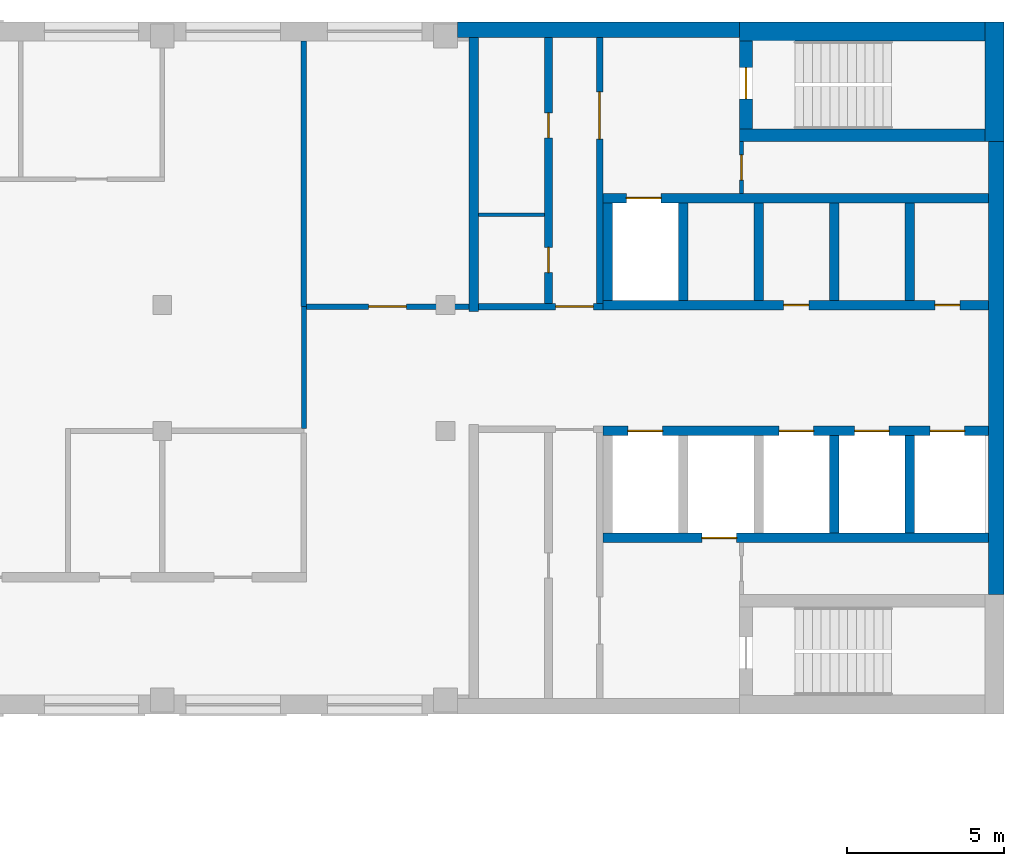
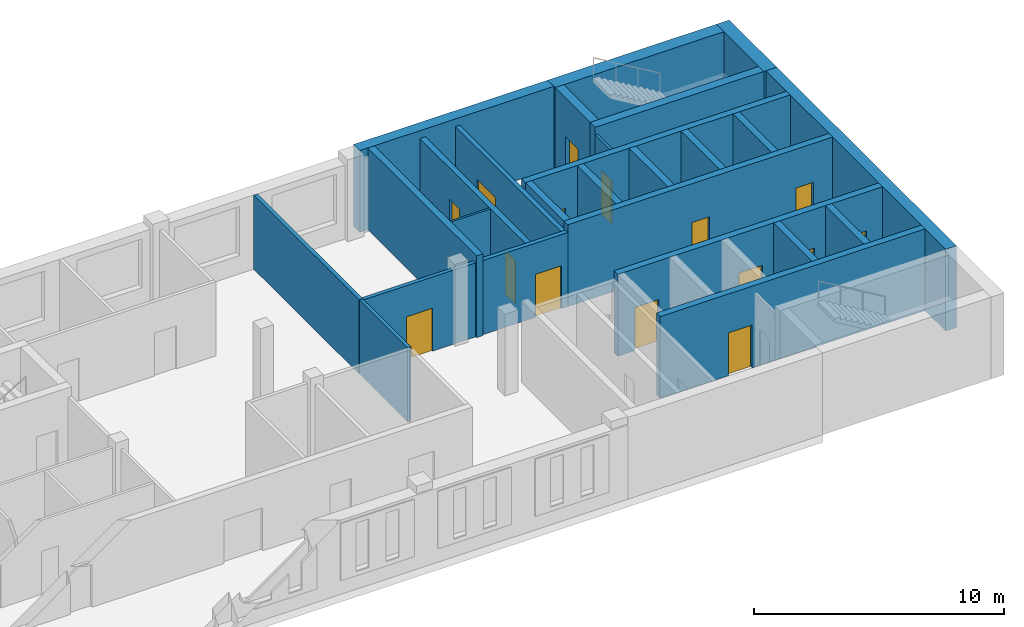
# One storey, part 6 of 8: 26 walls, 15 doors, 15 openings.
"""IFC4 building model written with IfcOpenShell, lengths in metres."""

from ifc_helpers import new_model, si_unit, direction, frame, frame_2d, origin, place, context, subcontext, project, spatial, rectangle, extrude, material, layer, layer_set, type_object, element, fill, save


model = new_model("IFC4")

# Units and contexts
model_context = context("Model", 3, precision=1e-05, world=origin(), true_north=direction((0.0, 1.0)))
body_context = subcontext(model_context, "Body", "Model", "MODEL_VIEW")
ifc_project = project(units=[si_unit("LENGTHUNIT", "METRE"), si_unit("AREAUNIT", "SQUARE_METRE"), si_unit("VOLUMEUNIT", "CUBIC_METRE"), si_unit("PLANEANGLEUNIT", "RADIAN"), si_unit("MASSUNIT", "GRAM", prefix="KILO")], contexts=[model_context])

# Site, building, storey
site_placement = place(None, origin())
site = spatial("IfcSite", under=ifc_project, at=site_placement, CompositionType="ELEMENT")
building_placement = place(site_placement, origin())
building = spatial("IfcBuilding", under=site, at=building_placement, Name="Skarvind Civic Tower", CompositionType="ELEMENT")
storey_placement = place(building_placement, frame((0.0, 0.0, 208.0)))
storey = spatial("IfcBuildingStorey", under=building, at=storey_placement, Name="L49", CompositionType="ELEMENT", Elevation=208.0)

# Wall
ifc_material_1 = material(Name="Acoustic gypsum board on steel studs", Category="steel")
ifc_layer_1 = layer(ifc_material_1, 0.175048828125)
ifc_layer_set_1 = layer_set([ifc_layer_1], Name="ACOUSTIC MEETING-ROOM PARTITION 175")
wall_type_1 = type_object("IfcWallType", Name="ACOUSTIC MEETING-ROOM PARTITION 175", PredefinedType="PARTITIONING", material=ifc_layer_set_1)
wall_1_placement = place(storey_placement, frame((85.75, 129.949951171875, 0.0), z_axis=(0.0, 0.0, 1.0), x_axis=(0.0, 1.0, 0.0)))
element("IfcWall", 1, at=wall_1_placement, inside=storey, type_object=wall_type_1, Name="Partition 49.042", PredefinedType="PARTITIONING", context=body_context, shape_type="SweptSolid", body=[
    extrude(rectangle(XDim=8.449951171875, YDim=0.175048828125, at=frame_2d((4.22509765625, 0.0))), origin(), (0.0, 0.0, 1.0), 3.625),
])

# Wall, opening, door
wall_2_placement = place(storey_placement, frame((85.837890625, 129.949951171875, 0.0), z_axis=(0.0, 0.0, 1.0), x_axis=(1.0, 0.0, 0.0)))
wall_2 = element("IfcWall", 2, at=wall_2_placement, inside=storey, type_object=wall_type_1, Name="Partition 49.043", PredefinedType="PARTITIONING", context=body_context, shape_type="SweptSolid", body=[
    extrude(rectangle(XDim=5.162109375, YDim=0.175048828125, at=frame_2d((2.5810546875, 0.0))), origin(), (0.0, 0.0, 1.0), 3.625),
])
opening_1_placement = place(wall_2_placement, frame((1.970947265625, 0.0, 0.0)))
opening_1 = element("IfcOpeningElement", 3, at=opening_1_placement, cuts=wall_2, Name="Opening L49-D001", PredefinedType="OPENING", context=body_context, shape_type="SweptSolid", body=[
    extrude(rectangle(XDim=1.199951171875, YDim=2.10009765625, at=frame_2d((0.60009765625, 1.050048828125))), frame((0.0, 0.097412109375, 0.0), z_axis=(0.0, -1.0, 0.0), x_axis=(1.0, 0.0, 0.0)), (0.0, 0.0, 1.0), 0.195068359375),
])
ifc_material_2 = material(Name="Timber door leaf", Category="wood")
door_type_1 = type_object("IfcDoorType", Name="DOOR 1200X2100 DOUBLE TIMBER", OperationType="NOTDEFINED", PredefinedType="DOOR", material=ifc_material_2)
door_1_placement = place(opening_1_placement, origin())
door_1 = element("IfcDoor", 4, at=door_1_placement, inside=storey, type_object=door_type_1, Name="Door L49-D001", OperationType="DOUBLE_DOOR_SINGLE_SWING", OverallHeight=2.10009765625, OverallWidth=1.199951171875, PredefinedType="DOOR", context=body_context, shape_type="SweptSolid", body=[
    extrude(rectangle(XDim=1.199951171875, YDim=2.10009765625, at=frame_2d((0.60009765625, 1.050048828125))), frame((0.0, 0.02490234375, 0.0), z_axis=(0.0, -1.0, 0.0), x_axis=(1.0, 0.0, 0.0)), (0.0, 0.0, 1.0), 0.050048828125),
])
fill(opening_1, door_1)

ifc_material_3 = material(Name="Fire-rated masonry partition", Category="masonry")
ifc_layer_2 = layer(ifc_material_3, 0.199951171875)
ifc_layer_set_2 = layer_set([ifc_layer_2], Name="Core enclosure wall 200")
wall_type_2 = type_object("IfcWallType", Name="Core enclosure wall 200", PredefinedType="PARTITIONING", material=ifc_layer_set_2)
wall_3_placement = place(storey_placement, frame((91.300048828125, 129.949951171875, 0.0), z_axis=(0.0, 0.0, 1.0), x_axis=(1.0, 0.0, 0.0)))
wall_3 = element("IfcWall", 5, at=wall_3_placement, inside=storey, type_object=wall_type_2, Name="Core wall C1", PredefinedType="PARTITIONING", context=body_context, shape_type="SweptSolid", body=[
    extrude(rectangle(XDim=3.949951171875, YDim=0.199951171875, at=frame_2d((1.97509765625, 0.0))), origin(), (0.0, 0.0, 1.0), 3.625),
])
opening_2_placement = place(wall_3_placement, frame((2.449951171875, 0.0, 0.0)))
opening_2 = element("IfcOpeningElement", 6, at=opening_2_placement, cuts=wall_3, Name="Opening D-L49-C1-12", PredefinedType="OPENING", context=body_context, shape_type="SweptSolid", body=[
    extrude(rectangle(XDim=1.199951171875, YDim=2.10009765625, at=frame_2d((0.60009765625, 1.050048828125))), frame((0.0, 0.10986328125, 0.0), z_axis=(0.0, -1.0, 0.0), x_axis=(1.0, 0.0, 0.0)), (0.0, 0.0, 1.0), 0.219970703125),
])
ifc_material_4 = material(Name="Fire-rated steel door", Category="steel")
door_type_2 = type_object("IfcDoorType", Name="Core lobby door 1200", OperationType="NOTDEFINED", PredefinedType="DOOR", material=ifc_material_4)
door_2_placement = place(opening_2_placement, origin())
door_2 = element("IfcDoor", 7, at=door_2_placement, inside=storey, type_object=door_type_2, Name="Fire door", OperationType="DOUBLE_DOOR_SINGLE_SWING", OverallHeight=2.10009765625, OverallWidth=1.199951171875, PredefinedType="DOOR", context=body_context, shape_type="SweptSolid", body=[
    extrude(rectangle(XDim=1.199951171875, YDim=2.10009765625, at=frame_2d((0.60009765625, 1.050048828125))), frame((0.0, 0.02490234375, 0.0), z_axis=(0.0, -1.0, 0.0), x_axis=(1.0, 0.0, 0.0)), (0.0, 0.0, 1.0), 0.050048828125),
])
fill(opening_2, door_2)

wall_4_placement = place(storey_placement, frame((95.14990234375, 130.050048828125, 0.0), z_axis=(0.0, 0.0, 1.0), x_axis=(0.0, 1.0, 0.0)))
wall_4 = element("IfcWall", 8, at=wall_4_placement, inside=storey, type_object=wall_type_2, Name="Core wall C1", PredefinedType="PARTITIONING", context=body_context, shape_type="SweptSolid", body=[
    extrude(rectangle(XDim=8.449951171875, YDim=0.199951171875, at=frame_2d((4.22509765625, 0.0))), origin(), (0.0, 0.0, 1.0), 3.625),
])
opening_3_placement = place(wall_4_placement, frame((5.22509765625, 0.0, 0.0)))
opening_3 = element("IfcOpeningElement", 9, at=opening_3_placement, cuts=wall_4, Name="Opening D-L49-C1-13", PredefinedType="OPENING", context=body_context, shape_type="SweptSolid", body=[
    extrude(rectangle(XDim=1.5, YDim=2.10009765625, at=frame_2d((0.75, 1.050048828125))), frame((0.0, 0.10986328125, 0.0), z_axis=(0.0, -1.0, 0.0), x_axis=(1.0, 0.0, 0.0)), (0.0, 0.0, 1.0), 0.219970703125),
])
door_type_3 = type_object("IfcDoorType", Name="Fire door 1500", OperationType="NOTDEFINED", PredefinedType="DOOR", material=ifc_material_4)
door_3_placement = place(opening_3_placement, origin())
door_3 = element("IfcDoor", 10, at=door_3_placement, inside=storey, type_object=door_type_3, Name="Fire door", OperationType="DOUBLE_DOOR_SINGLE_SWING", OverallHeight=2.10009765625, OverallWidth=1.5, PredefinedType="DOOR", context=body_context, shape_type="SweptSolid", body=[
    extrude(rectangle(XDim=1.5, YDim=2.10009765625, at=frame_2d((0.75, 1.050048828125))), frame((0.0, 0.02490234375, 0.0), z_axis=(0.0, -1.0, 0.0), x_axis=(1.0, 0.0, 0.0)), (0.0, 0.0, 1.0), 0.050048828125),
])
fill(opening_3, door_3)

# Wall
ifc_material_5 = material(Name="Fire-rated plasterboard partition")
ifc_layer_3 = layer(ifc_material_5, 0.10009765625)
ifc_layer_set_3 = layer_set([ifc_layer_3], Name="Core partition wall 100")
wall_type_3 = type_object("IfcWallType", Name="Core partition wall 100", PredefinedType="PARTITIONING", material=ifc_layer_set_3)
wall_5_placement = place(storey_placement, frame((91.300048828125, 132.8701171875, 0.0), z_axis=(0.0, 0.0, 1.0), x_axis=(1.0, 0.0, 0.0)))
element("IfcWall", 11, at=wall_5_placement, inside=storey, type_object=wall_type_3, Name="Core wall C1", PredefinedType="PARTITIONING", context=body_context, shape_type="SweptSolid", body=[
    extrude(rectangle(XDim=2.099853515625, YDim=0.10009765625, at=frame_2d((1.0498046875, 0.0))), origin(), (0.0, 0.0, 1.0), 3.625),
])

# Wall, openings, doors
ifc_material_6 = material(Name="Concrete C60", Category="concrete")
ifc_layer_4 = layer(ifc_material_6, 0.300048828125)
ifc_layer_set_4 = layer_set([ifc_layer_4], Name="Core wall 300 C60")
wall_type_4 = type_object("IfcWallType", Name="Core wall 300 C60", PredefinedType="SHEAR", material=ifc_layer_set_4)
wall_6_placement = place(storey_placement, frame((107.5, 130.0, 0.0), z_axis=(0.0, 0.0, 1.0), x_axis=(-1.0, 0.0, 0.0)))
wall_6 = element("IfcWall", 12, at=wall_6_placement, inside=storey, type_object=wall_type_4, Name="Core wall C1 south lift row front L49", PredefinedType="SHEAR", context=body_context, shape_type="SweptSolid", body=[
    extrude(rectangle(XDim=12.25, YDim=0.300048828125, at=frame_2d((6.125, 0.0))), origin(), (0.0, 0.0, 1.0), 4.0),
])
opening_4_placement = place(wall_6_placement, frame((0.89990234375, 0.0, 0.0)))
opening_4 = element("IfcOpeningElement", 13, at=opening_4_placement, cuts=wall_6, Name="Opening D-L49-C1-05", PredefinedType="OPENING", context=body_context, shape_type="SweptSolid", body=[
    extrude(rectangle(XDim=0.800048828125, YDim=2.10009765625, at=frame_2d((0.39990234375, 1.050048828125))), frame((0.0, 0.159912109375, 0.0), z_axis=(0.0, -1.0, 0.0), x_axis=(1.0, 0.0, 0.0)), (0.0, 0.0, 1.0), 0.320068359375),
])
opening_5_placement = place(wall_6_placement, frame((5.699951171875, 0.0, 0.0)))
opening_5 = element("IfcOpeningElement", 14, at=opening_5_placement, cuts=wall_6, Name="Opening D-L49-C1-06", PredefinedType="OPENING", context=body_context, shape_type="SweptSolid", body=[
    extrude(rectangle(XDim=0.800048828125, YDim=2.10009765625, at=frame_2d((0.39990234375, 1.050048828125))), frame((0.0, 0.159912109375, 0.0), z_axis=(0.0, -1.0, 0.0), x_axis=(1.0, 0.0, 0.0)), (0.0, 0.0, 1.0), 0.320068359375),
])
door_type_4 = type_object("IfcDoorType", Name="Core riser door 800", OperationType="NOTDEFINED", PredefinedType="DOOR", material=ifc_material_4)
door_4_placement = place(opening_4_placement, origin())
door_4 = element("IfcDoor", 15, at=door_4_placement, inside=storey, type_object=door_type_4, Name="Riser door", OperationType="SINGLE_SWING_LEFT", OverallHeight=2.10009765625, OverallWidth=0.800048828125, PredefinedType="DOOR", context=body_context, shape_type="SweptSolid", body=[
    extrude(rectangle(XDim=0.800048828125, YDim=2.10009765625, at=frame_2d((0.39990234375, 1.050048828125))), frame((0.0, 0.02490234375, 0.0), z_axis=(0.0, -1.0, 0.0), x_axis=(1.0, 0.0, 0.0)), (0.0, 0.0, 1.0), 0.050048828125),
])
fill(opening_4, door_4)
door_5_placement = place(opening_5_placement, origin())
door_5 = element("IfcDoor", 16, at=door_5_placement, inside=storey, type_object=door_type_4, Name="Riser door", OperationType="SINGLE_SWING_RIGHT", OverallHeight=2.10009765625, OverallWidth=0.800048828125, PredefinedType="DOOR", context=body_context, shape_type="SweptSolid", body=[
    extrude(rectangle(XDim=0.800048828125, YDim=2.10009765625, at=frame_2d((0.39990234375, 1.050048828125))), frame((0.0, 0.02490234375, 0.0), z_axis=(0.0, -1.0, 0.0), x_axis=(1.0, 0.0, 0.0)), (0.0, 0.0, 1.0), 0.050048828125),
])
fill(opening_5, door_5)

# Wall, opening, door
wall_7_placement = place(storey_placement, frame((107.5, 133.39990234375, 0.0), z_axis=(0.0, 0.0, 1.0), x_axis=(-1.0, 0.0, 0.0)))
wall_7 = element("IfcWall", 17, at=wall_7_placement, inside=storey, type_object=wall_type_4, Name="Core wall C1 south lift row back L49", PredefinedType="SHEAR", context=body_context, shape_type="SweptSolid", body=[
    extrude(rectangle(XDim=12.25, YDim=0.300048828125, at=frame_2d((6.125, 0.0))), origin(), (0.0, 0.0, 1.0), 4.0),
])
opening_6_placement = place(wall_7_placement, frame((10.39990234375, 0.0, 0.0)))
opening_6 = element("IfcOpeningElement", 18, at=opening_6_placement, cuts=wall_7, Name="Opening LD51110", PredefinedType="OPENING", context=body_context, shape_type="SweptSolid", body=[
    extrude(rectangle(XDim=1.10009765625, YDim=2.10009765625, at=frame_2d((0.550048828125, 1.050048828125))), frame((0.0, 0.159912109375, 0.0), z_axis=(0.0, -1.0, 0.0), x_axis=(1.0, 0.0, 0.0)), (0.0, 0.0, 1.0), 0.320068359375),
])
ifc_material_7 = material(Name="Stainless steel landing door", Category="steel")
door_type_5 = type_object("IfcDoorType", Name="Lift landing door 1100", OperationType="DOUBLE_DOOR_SLIDING", PredefinedType="DOOR", material=ifc_material_7)
door_6_placement = place(opening_6_placement, origin())
door_6 = element("IfcDoor", 19, at=door_6_placement, inside=storey, type_object=door_type_5, Name="Lift landing door", OperationType="DOUBLE_DOOR_SLIDING", OverallHeight=2.10009765625, OverallWidth=1.10009765625, PredefinedType="DOOR", context=body_context, shape_type="SweptSolid", body=[
    extrude(rectangle(XDim=1.10009765625, YDim=2.10009765625, at=frame_2d((0.550048828125, 1.050048828125))), frame((0.0, 0.02490234375, 0.0), z_axis=(0.0, -1.0, 0.0), x_axis=(1.0, 0.0, 0.0)), (0.0, 0.0, 1.0), 0.050048828125),
])
fill(opening_6, door_6)

# Walls
for number, where, z_axis, x_axis, name in (
    (20, (105.0, 133.25, 0.0), (0.0, 0.0, 1.0), (0.0, -1.0, 0.0), "Core wall C1 south lift row division 1 L49"),
    (21, (102.60009765625, 133.25, 0.0), (0.0, 0.0, 1.0), (0.0, -1.0, 0.0), "Core wall C1 south lift row division 2 L49"),
    (22, (100.199951171875, 133.25, 0.0), (0.0, 0.0, 1.0), (0.0, -1.0, 0.0), "Core wall C1 south lift row division 3 L49"),
    (23, (97.800048828125, 133.25, 0.0), (0.0, 0.0, 1.0), (0.0, -1.0, 0.0), "Core wall C1 south lift row division 4 L49"),
    (24, (95.39990234375, 133.25, 0.0), (0.0, 0.0, 1.0), (0.0, -1.0, 0.0), "Core wall C1 south lift row division 5 L49"),
):
    element("IfcWall", number, at=place(storey_placement, frame(where, z_axis=z_axis, x_axis=x_axis)), inside=storey, type_object=wall_type_4, Name=name, PredefinedType="SHEAR", context=body_context, shape_type="SweptSolid", body=[
        extrude(rectangle(XDim=3.10009765625, YDim=0.300048828125, at=frame_2d((1.550048828125, 0.0))), origin(), (0.0, 0.0, 1.0), 4.0),
    ])

# Wall, openings, doors
wall_8_placement = place(storey_placement, frame((107.5, 126.0, 0.0), z_axis=(0.0, 0.0, 1.0), x_axis=(-1.0, 0.0, 0.0)))
wall_8 = element("IfcWall", 25, at=wall_8_placement, inside=storey, type_object=wall_type_4, Name="Core wall C1 north lift row front L49", PredefinedType="SHEAR", context=body_context, shape_type="SweptSolid", body=[
    extrude(rectangle(XDim=12.25, YDim=0.300048828125, at=frame_2d((6.125, 0.0))), origin(), (0.0, 0.0, 1.0), 4.0),
])
opening_7_placement = place(wall_8_placement, frame((0.75, 0.0, 0.0)))
opening_7 = element("IfcOpeningElement", 26, at=opening_7_placement, cuts=wall_8, Name="Opening LD51101", PredefinedType="OPENING", context=body_context, shape_type="SweptSolid", body=[
    extrude(rectangle(XDim=1.10009765625, YDim=2.10009765625, at=frame_2d((0.550048828125, 1.050048828125))), frame((0.0, 0.159912109375, 0.0), z_axis=(0.0, -1.0, 0.0), x_axis=(1.0, 0.0, 0.0)), (0.0, 0.0, 1.0), 0.320068359375),
])
opening_8_placement = place(wall_8_placement, frame((3.14990234375, 0.0, 0.0)))
opening_8 = element("IfcOpeningElement", 27, at=opening_8_placement, cuts=wall_8, Name="Opening LD51102", PredefinedType="OPENING", context=body_context, shape_type="SweptSolid", body=[
    extrude(rectangle(XDim=1.10009765625, YDim=2.10009765625, at=frame_2d((0.550048828125, 1.050048828125))), frame((0.0, 0.159912109375, 0.0), z_axis=(0.0, -1.0, 0.0), x_axis=(1.0, 0.0, 0.0)), (0.0, 0.0, 1.0), 0.320068359375),
])
opening_9_placement = place(wall_8_placement, frame((5.550048828125, 0.0, 0.0)))
opening_9 = element("IfcOpeningElement", 28, at=opening_9_placement, cuts=wall_8, Name="Opening LD51103", PredefinedType="OPENING", context=body_context, shape_type="SweptSolid", body=[
    extrude(rectangle(XDim=1.10009765625, YDim=2.10009765625, at=frame_2d((0.550048828125, 1.050048828125))), frame((0.0, 0.159912109375, 0.0), z_axis=(0.0, -1.0, 0.0), x_axis=(1.0, 0.0, 0.0)), (0.0, 0.0, 1.0), 0.320068359375),
])
opening_10_placement = place(wall_8_placement, frame((10.35009765625, 0.0, 0.0)))
opening_10 = element("IfcOpeningElement", 29, at=opening_10_placement, cuts=wall_8, Name="Opening LD51105", PredefinedType="OPENING", context=body_context, shape_type="SweptSolid", body=[
    extrude(rectangle(XDim=1.10009765625, YDim=2.10009765625, at=frame_2d((0.550048828125, 1.050048828125))), frame((0.0, 0.159912109375, 0.0), z_axis=(0.0, -1.0, 0.0), x_axis=(1.0, 0.0, 0.0)), (0.0, 0.0, 1.0), 0.320068359375),
])
door_7_placement = place(opening_7_placement, origin())
door_7 = element("IfcDoor", 30, at=door_7_placement, inside=storey, type_object=door_type_5, Name="Lift landing door", OperationType="DOUBLE_DOOR_SLIDING", OverallHeight=2.10009765625, OverallWidth=1.10009765625, PredefinedType="DOOR", context=body_context, shape_type="SweptSolid", body=[
    extrude(rectangle(XDim=1.10009765625, YDim=2.10009765625, at=frame_2d((0.550048828125, 1.050048828125))), frame((0.0, 0.02490234375, 0.0), z_axis=(0.0, -1.0, 0.0), x_axis=(1.0, 0.0, 0.0)), (0.0, 0.0, 1.0), 0.050048828125),
])
fill(opening_7, door_7)
door_8_placement = place(opening_8_placement, origin())
door_8 = element("IfcDoor", 31, at=door_8_placement, inside=storey, type_object=door_type_5, Name="Lift landing door", OperationType="DOUBLE_DOOR_SLIDING", OverallHeight=2.10009765625, OverallWidth=1.10009765625, PredefinedType="DOOR", context=body_context, shape_type="SweptSolid", body=[
    extrude(rectangle(XDim=1.10009765625, YDim=2.10009765625, at=frame_2d((0.550048828125, 1.050048828125))), frame((0.0, 0.02490234375, 0.0), z_axis=(0.0, -1.0, 0.0), x_axis=(1.0, 0.0, 0.0)), (0.0, 0.0, 1.0), 0.050048828125),
])
fill(opening_8, door_8)
door_9_placement = place(opening_9_placement, origin())
door_9 = element("IfcDoor", 32, at=door_9_placement, inside=storey, type_object=door_type_5, Name="Lift landing door", OperationType="DOUBLE_DOOR_SLIDING", OverallHeight=2.10009765625, OverallWidth=1.10009765625, PredefinedType="DOOR", context=body_context, shape_type="SweptSolid", body=[
    extrude(rectangle(XDim=1.10009765625, YDim=2.10009765625, at=frame_2d((0.550048828125, 1.050048828125))), frame((0.0, 0.02490234375, 0.0), z_axis=(0.0, -1.0, 0.0), x_axis=(1.0, 0.0, 0.0)), (0.0, 0.0, 1.0), 0.050048828125),
])
fill(opening_9, door_9)
door_10_placement = place(opening_10_placement, origin())
door_10 = element("IfcDoor", 33, at=door_10_placement, inside=storey, type_object=door_type_5, Name="Lift landing door", OperationType="DOUBLE_DOOR_SLIDING", OverallHeight=2.10009765625, OverallWidth=1.10009765625, PredefinedType="DOOR", context=body_context, shape_type="SweptSolid", body=[
    extrude(rectangle(XDim=1.10009765625, YDim=2.10009765625, at=frame_2d((0.550048828125, 1.050048828125))), frame((0.0, 0.02490234375, 0.0), z_axis=(0.0, -1.0, 0.0), x_axis=(1.0, 0.0, 0.0)), (0.0, 0.0, 1.0), 0.050048828125),
])
fill(opening_10, door_10)

# Wall, opening, door
wall_9_placement = place(storey_placement, frame((107.5, 122.60009765625, 0.0), z_axis=(0.0, 0.0, 1.0), x_axis=(-1.0, 0.0, 0.0)))
wall_9 = element("IfcWall", 34, at=wall_9_placement, inside=storey, type_object=wall_type_4, Name="Core wall C1 north lift row back L49", PredefinedType="SHEAR", context=body_context, shape_type="SweptSolid", body=[
    extrude(rectangle(XDim=12.25, YDim=0.300048828125, at=frame_2d((6.125, 0.0))), origin(), (0.0, 0.0, 1.0), 4.0),
])
opening_11_placement = place(wall_9_placement, frame((8.0, 0.0, 0.0)))
opening_11 = element("IfcOpeningElement", 35, at=opening_11_placement, cuts=wall_9, Name="Opening LD51104", PredefinedType="OPENING", context=body_context, shape_type="SweptSolid", body=[
    extrude(rectangle(XDim=1.10009765625, YDim=2.10009765625, at=frame_2d((0.550048828125, 1.050048828125))), frame((0.0, 0.159912109375, 0.0), z_axis=(0.0, -1.0, 0.0), x_axis=(1.0, 0.0, 0.0)), (0.0, 0.0, 1.0), 0.320068359375),
])
door_11_placement = place(opening_11_placement, origin())
door_11 = element("IfcDoor", 36, at=door_11_placement, inside=storey, type_object=door_type_5, Name="Lift landing door", OperationType="DOUBLE_DOOR_SLIDING", OverallHeight=2.10009765625, OverallWidth=1.10009765625, PredefinedType="DOOR", context=body_context, shape_type="SweptSolid", body=[
    extrude(rectangle(XDim=1.10009765625, YDim=2.10009765625, at=frame_2d((0.550048828125, 1.050048828125))), frame((0.0, 0.02490234375, 0.0), z_axis=(0.0, -1.0, 0.0), x_axis=(1.0, 0.0, 0.0)), (0.0, 0.0, 1.0), 0.050048828125),
])
fill(opening_11, door_11)

# Walls
for number, where, z_axis, x_axis, name in (
    (37, (105.0, 125.85009765625, 0.0), (0.0, 0.0, 1.0), (0.0, -1.0, 0.0), "Core wall C1 north lift row division 1 L49"),
    (38, (102.60009765625, 125.85009765625, 0.0), (0.0, 0.0, 1.0), (0.0, -1.0, 0.0), "Core wall C1 north lift row division 2 L49"),
):
    element("IfcWall", number, at=place(storey_placement, frame(where, z_axis=z_axis, x_axis=x_axis)), inside=storey, type_object=wall_type_4, Name=name, PredefinedType="SHEAR", context=body_context, shape_type="SweptSolid", body=[
        extrude(rectangle(XDim=3.10009765625, YDim=0.300048828125, at=frame_2d((1.550048828125, 0.0))), origin(), (0.0, 0.0, 1.0), 4.0),
    ])
wall_10_placement = place(storey_placement, frame((91.14990234375, 138.5, 0.0), z_axis=(0.0, 0.0, 1.0), x_axis=(0.0, -1.0, 0.0)))
element("IfcWall", 39, at=wall_10_placement, inside=storey, type_object=wall_type_4, Name="Core wall C1 south inner face L49", PredefinedType="SHEAR", context=body_context, shape_type="SweptSolid", body=[
    extrude(rectangle(XDim=8.699951171875, YDim=0.300048828125, at=frame_2d((4.35009765625, 0.0))), origin(), (0.0, 0.0, 1.0), 4.0),
])
ifc_layer_5 = layer(ifc_material_6, 0.39990234375)
ifc_layer_set_5 = layer_set([ifc_layer_5], Name="Core wall 400 C60")
wall_type_5 = type_object("IfcWallType", Name="Core wall 400 C60", PredefinedType="SHEAR", material=ifc_layer_set_5)
wall_11_placement = place(storey_placement, frame((107.39990234375, 135.39990234375, 0.0), z_axis=(0.0, 0.0, 1.0), x_axis=(-1.0, 0.0, 0.0)))
element("IfcWall", 40, at=wall_11_placement, inside=storey, type_object=wall_type_5, Name="Core wall C1 south stair inner L49", PredefinedType="SHEAR", context=body_context, shape_type="SweptSolid", body=[
    extrude(rectangle(XDim=7.7998046875, YDim=0.39990234375, at=frame_2d((3.89990234375, 0.0))), origin(), (0.0, 0.0, 1.0), 4.0),
])

# Wall, opening, door
wall_12_placement = place(storey_placement, frame((99.800048828125, 138.39990234375, 0.0), z_axis=(0.0, 0.0, 1.0), x_axis=(0.0, -1.0, 0.0)))
wall_12 = element("IfcWall", 41, at=wall_12_placement, inside=storey, type_object=wall_type_5, Name="Core wall C1 south stair end L49", PredefinedType="SHEAR", context=body_context, shape_type="SweptSolid", body=[
    extrude(rectangle(XDim=2.7998046875, YDim=0.39990234375, at=frame_2d((1.39990234375, 0.0))), origin(), (0.0, 0.0, 1.0), 4.0),
])
opening_12_placement = place(wall_12_placement, frame((0.85009765625, 0.0, 0.0)))
opening_12 = element("IfcOpeningElement", 42, at=opening_12_placement, cuts=wall_12, Name="Opening D-L49-C1-14", PredefinedType="OPENING", context=body_context, shape_type="SweptSolid", body=[
    extrude(rectangle(XDim=1.0, YDim=2.10009765625, at=frame_2d((0.5, 1.050048828125))), frame((0.0, 0.2099609375, 0.0), z_axis=(0.0, -1.0, 0.0), x_axis=(1.0, 0.0, 0.0)), (0.0, 0.0, 1.0), 0.419921875),
])
door_type_6 = type_object("IfcDoorType", Name="Fire door 1000", OperationType="NOTDEFINED", PredefinedType="DOOR", material=ifc_material_4)
door_12_placement = place(opening_12_placement, origin())
door_12 = element("IfcDoor", 43, at=door_12_placement, inside=storey, type_object=door_type_6, Name="Fire door", OperationType="SINGLE_SWING_RIGHT", OverallHeight=2.10009765625, OverallWidth=1.0, PredefinedType="DOOR", context=body_context, shape_type="SweptSolid", body=[
    extrude(rectangle(XDim=1.0, YDim=2.10009765625, at=frame_2d((0.5, 1.050048828125))), frame((0.0, 0.02490234375, 0.0), z_axis=(0.0, -1.0, 0.0), x_axis=(1.0, 0.0, 0.0)), (0.0, 0.0, 1.0), 0.050048828125),
])
fill(opening_12, door_12)

# Walls
ifc_layer_6 = layer(ifc_material_6, 0.5)
ifc_layer_set_6 = layer_set([ifc_layer_6], Name="Core wall 500 C60")
wall_type_6 = type_object("IfcWallType", Name="Core wall 500 C60", PredefinedType="SHEAR", material=ifc_layer_set_6)
wall_13_placement = place(storey_placement, frame((107.75, 135.199951171875, 0.0), z_axis=(0.0, 0.0, 1.0), x_axis=(0.0, -1.0, 0.0)))
element("IfcWall", 44, at=wall_13_placement, inside=storey, type_object=wall_type_6, Name="Core wall C1 tip between the stairs L49", PredefinedType="SHEAR", context=body_context, shape_type="SweptSolid", body=[
    extrude(rectangle(XDim=14.39990234375, YDim=0.5, at=frame_2d((7.199951171875, 0.0))), origin(), (0.0, 0.0, 1.0), 4.0),
])
wall_14_placement = place(storey_placement, frame((99.60009765625, 138.75, 0.0), z_axis=(0.0, 0.0, 1.0), x_axis=(-1.0, 0.0, 0.0)))
element("IfcWall", 45, at=wall_14_placement, inside=storey, type_object=wall_type_6, Name="Core wall C1 south side L49", PredefinedType="SHEAR", context=body_context, shape_type="SweptSolid", body=[
    extrude(rectangle(XDim=8.97509765625, YDim=0.5, at=frame_2d((4.487548828125, 0.0))), origin(), (0.0, 0.0, 1.0), 4.0),
])
ifc_layer_7 = layer(ifc_material_6, 0.60009765625)
ifc_layer_set_7 = layer_set([ifc_layer_7], Name="Core wall 600 C60")
wall_type_7 = type_object("IfcWallType", Name="Core wall 600 C60", PredefinedType="SHEAR", material=ifc_layer_set_7)
wall_15_placement = place(storey_placement, frame((107.699951171875, 139.0, 0.0), z_axis=(0.0, 0.0, 1.0), x_axis=(0.0, -1.0, 0.0)))
element("IfcWall", 46, at=wall_15_placement, inside=storey, type_object=wall_type_7, Name="Core wall C1 tip at the south stair L49", PredefinedType="SHEAR", context=body_context, shape_type="SweptSolid", body=[
    extrude(rectangle(XDim=3.800048828125, YDim=0.60009765625, at=frame_2d((1.89990234375, 0.0))), origin(), (0.0, 0.0, 1.0), 4.0),
])
wall_16_placement = place(storey_placement, frame((107.39990234375, 138.699951171875, 0.0), z_axis=(0.0, 0.0, 1.0), x_axis=(-1.0, 0.0, 0.0)))
element("IfcWall", 47, at=wall_16_placement, inside=storey, type_object=wall_type_7, Name="Core wall C1 south side at the stair L49", PredefinedType="SHEAR", context=body_context, shape_type="SweptSolid", body=[
    extrude(rectangle(XDim=7.7998046875, YDim=0.60009765625, at=frame_2d((3.89990234375, 0.0))), origin(), (0.0, 0.0, 1.0), 4.0),
])
ifc_material_8 = material(Name="Plasterboard partition on steel studs", Category="steel")
ifc_layer_8 = layer(ifc_material_8, 0.14990234375)
ifc_layer_set_8 = layer_set([ifc_layer_8], Name="PARTITION 150")
wall_type_8 = type_object("IfcWallType", Name="PARTITION 150", PredefinedType="PARTITIONING", material=ifc_layer_set_8)
wall_17_placement = place(storey_placement, frame((85.75, 126.083984375, 0.0), z_axis=(0.0, 0.0, 1.0), x_axis=(0.0, 1.0, 0.0)))
element("IfcWall", 48, at=wall_17_placement, inside=storey, type_object=wall_type_8, Name="Partition 49.041", PredefinedType="PARTITIONING", context=body_context, shape_type="SweptSolid", body=[
    extrude(rectangle(XDim=3.865966796875, YDim=0.14990234375, at=frame_2d((1.93310546875, 0.0))), origin(), (0.0, 0.0, 1.0), 3.625),
])

# Wall, opening, door
ifc_layer_9 = layer(ifc_material_3, 0.125)
ifc_layer_set_9 = layer_set([ifc_layer_9], Name="Riser wall 125")
wall_type_9 = type_object("IfcWallType", Name="Riser wall 125", PredefinedType="PARTITIONING", material=ifc_layer_set_9)
wall_18_placement = place(storey_placement, frame((99.66259765625, 133.550048828125, 0.0), z_axis=(0.0, 0.0, 1.0), x_axis=(0.0, 1.0, 0.0)))
wall_18 = element("IfcWall", 49, at=wall_18_placement, inside=storey, type_object=wall_type_9, Name="Core wall C1", PredefinedType="PARTITIONING", context=body_context, shape_type="SweptSolid", body=[
    extrude(rectangle(XDim=1.64990234375, YDim=0.125, at=frame_2d((0.824951171875, 0.0))), origin(), (0.0, 0.0, 1.0), 3.625),
])
opening_13_placement = place(wall_18_placement, frame((0.425048828125, 0.0, 0.0)))
opening_13 = element("IfcOpeningElement", 50, at=opening_13_placement, cuts=wall_18, Name="Opening D-L49-C1-15", PredefinedType="OPENING", context=body_context, shape_type="SweptSolid", body=[
    extrude(rectangle(XDim=0.800048828125, YDim=2.10009765625, at=frame_2d((0.39990234375, 1.050048828125))), frame((0.0, 0.072509765625, 0.0), z_axis=(0.0, -1.0, 0.0), x_axis=(1.0, 0.0, 0.0)), (0.0, 0.0, 1.0), 0.14501953125),
])
door_13_placement = place(opening_13_placement, origin())
door_13 = element("IfcDoor", 51, at=door_13_placement, inside=storey, type_object=door_type_4, Name="Riser door", OperationType="SINGLE_SWING_LEFT", OverallHeight=2.10009765625, OverallWidth=0.800048828125, PredefinedType="DOOR", context=body_context, shape_type="SweptSolid", body=[
    extrude(rectangle(XDim=0.800048828125, YDim=2.10009765625, at=frame_2d((0.39990234375, 1.050048828125))), frame((0.0, 0.02490234375, 0.0), z_axis=(0.0, -1.0, 0.0), x_axis=(1.0, 0.0, 0.0)), (0.0, 0.0, 1.0), 0.050048828125),
])
fill(opening_13, door_13)

# Wall, openings, doors
ifc_layer_10 = layer(ifc_material_3, 0.25)
ifc_layer_set_10 = layer_set([ifc_layer_10], Name="Service block wall 250")
wall_type_10 = type_object("IfcWallType", Name="Service block wall 250", PredefinedType="PARTITIONING", material=ifc_layer_set_10)
wall_19_placement = place(storey_placement, frame((93.52490234375, 130.050048828125, 0.0), z_axis=(0.0, 0.0, 1.0), x_axis=(0.0, 1.0, 0.0)))
wall_19 = element("IfcWall", 52, at=wall_19_placement, inside=storey, type_object=wall_type_10, Name="Core wall C1", PredefinedType="PARTITIONING", context=body_context, shape_type="SweptSolid", body=[
    extrude(rectangle(XDim=8.449951171875, YDim=0.25, at=frame_2d((4.22509765625, 0.0))), origin(), (0.0, 0.0, 1.0), 3.625),
])
opening_14_placement = place(wall_19_placement, frame((0.985107421875, 0.0, 0.0)))
opening_14 = element("IfcOpeningElement", 53, at=opening_14_placement, cuts=wall_19, Name="Opening D-L49-C1-16", PredefinedType="OPENING", context=body_context, shape_type="SweptSolid", body=[
    extrude(rectangle(XDim=0.800048828125, YDim=2.10009765625, at=frame_2d((0.39990234375, 1.050048828125))), frame((0.0, 0.135009765625, 0.0), z_axis=(0.0, -1.0, 0.0), x_axis=(1.0, 0.0, 0.0)), (0.0, 0.0, 1.0), 0.27001953125),
])
opening_15_placement = place(wall_19_placement, frame((5.260009765625, 0.0, 0.0)))
opening_15 = element("IfcOpeningElement", 54, at=opening_15_placement, cuts=wall_19, Name="Opening D-L49-C1-17", PredefinedType="OPENING", context=body_context, shape_type="SweptSolid", body=[
    extrude(rectangle(XDim=0.800048828125, YDim=2.10009765625, at=frame_2d((0.39990234375, 1.050048828125))), frame((0.0, 0.135009765625, 0.0), z_axis=(0.0, -1.0, 0.0), x_axis=(1.0, 0.0, 0.0)), (0.0, 0.0, 1.0), 0.27001953125),
])
door_14_placement = place(opening_14_placement, origin())
door_14 = element("IfcDoor", 55, at=door_14_placement, inside=storey, type_object=door_type_4, Name="Riser door", OperationType="SINGLE_SWING_RIGHT", OverallHeight=2.10009765625, OverallWidth=0.800048828125, PredefinedType="DOOR", context=body_context, shape_type="SweptSolid", body=[
    extrude(rectangle(XDim=0.800048828125, YDim=2.10009765625, at=frame_2d((0.39990234375, 1.050048828125))), frame((0.0, 0.02490234375, 0.0), z_axis=(0.0, -1.0, 0.0), x_axis=(1.0, 0.0, 0.0)), (0.0, 0.0, 1.0), 0.050048828125),
])
fill(opening_14, door_14)
door_15_placement = place(opening_15_placement, origin())
door_15 = element("IfcDoor", 56, at=door_15_placement, inside=storey, type_object=door_type_4, Name="Riser door", OperationType="SINGLE_SWING_LEFT", OverallHeight=2.10009765625, OverallWidth=0.800048828125, PredefinedType="DOOR", context=body_context, shape_type="SweptSolid", body=[
    extrude(rectangle(XDim=0.800048828125, YDim=2.10009765625, at=frame_2d((0.39990234375, 1.050048828125))), frame((0.0, 0.02490234375, 0.0), z_axis=(0.0, -1.0, 0.0), x_axis=(1.0, 0.0, 0.0)), (0.0, 0.0, 1.0), 0.050048828125),
])
fill(opening_15, door_15)

save(model, "model.ifc")
